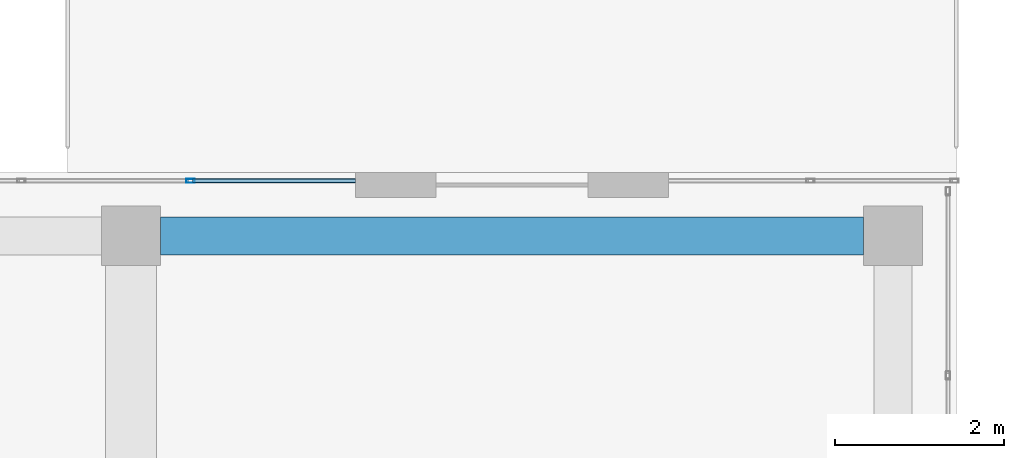
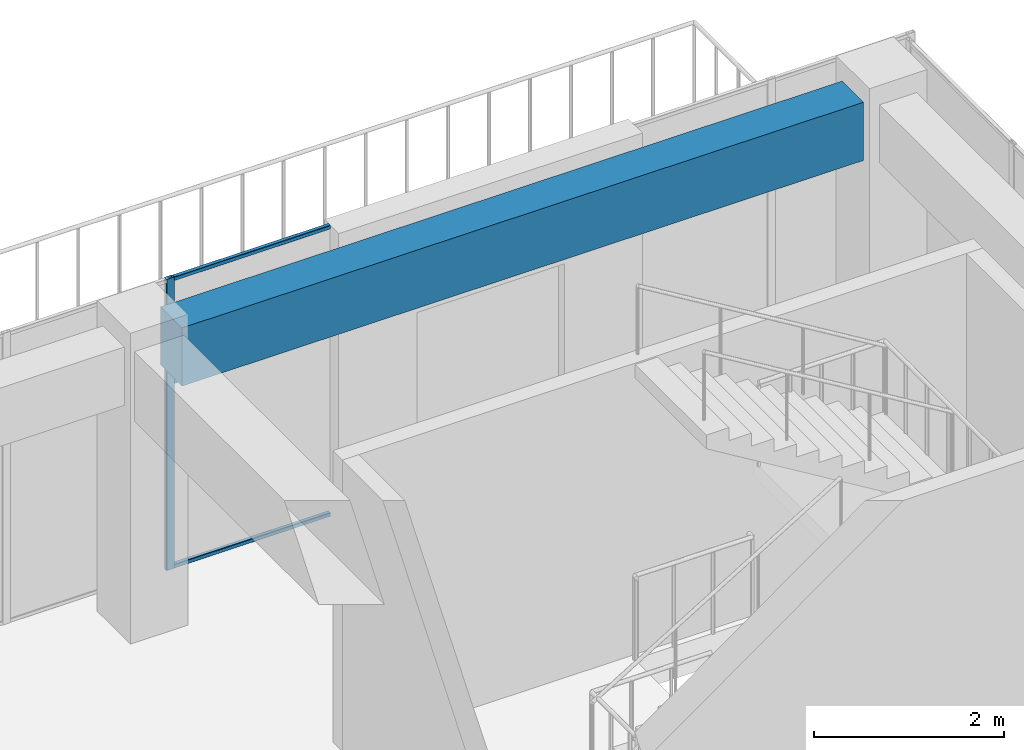
# One storey, part 34 of 49: 4 members, 1 beam, 1 element without a shape of its own.
"""IFC4 building model written with IfcOpenShell, lengths in metres."""

from ifc_helpers import new_model, si_unit, direction, frame, origin, origin_2d, place, context, subcontext, project, spatial, rectangle, hollow_rectangle, extrude, material, layer, layer_set, material_profile, profile_set, type_object, element, aggregate, save


model = new_model("IFC4")

# Units and contexts
model_context = context("Model", 3, precision=1e-05, world=origin(), true_north=direction((0.0, 1.0)))
body_context = subcontext(model_context, "Body", "Model", "MODEL_VIEW")
ifc_project = project(units=[si_unit("LENGTHUNIT", "METRE"), si_unit("AREAUNIT", "SQUARE_METRE"), si_unit("VOLUMEUNIT", "CUBIC_METRE"), si_unit("PLANEANGLEUNIT", "RADIAN"), si_unit("MASSUNIT", "GRAM", prefix="KILO")], contexts=[model_context])

# Site, building, storey
site_placement = place(None, origin())
site = spatial("IfcSite", under=ifc_project, at=site_placement, CompositionType="ELEMENT")
building_placement = place(site_placement, origin())
building = spatial("IfcBuilding", under=site, at=building_placement, Name="Tuart Plaza Theatre", CompositionType="ELEMENT")
storey_placement = place(building_placement, frame((0.0, 0.0, 29.5)))
storey = spatial("IfcBuildingStorey", under=building, at=storey_placement, Name="L07", CompositionType="ELEMENT", Elevation=29.5)

# Beam
ifc_material_1 = material(Name="Concrete N40 (40 MPa)", Category="concrete")
ifc_material_profile_1 = material_profile(ifc_material_1, rectangle(XDim=0.449951171875, YDim=0.75, at=origin_2d()), Name="BEAM 450x750 Concrete N40 (40 MPa)")
ifc_profile_set_1 = profile_set([ifc_material_profile_1], Name="Concrete N40 (40 MPa)")
beam_type = type_object("IfcBeamType", Name="BEAM 450x750 Concrete N40 (40 MPa)", PredefinedType="BEAM", material=ifc_profile_set_1)
beam_placement = place(storey_placement, frame((132.35009765625, 92.0, 3.375), z_axis=(1.0, 0.0, 0.0), x_axis=(0.0, 1.0, 0.0)))
element("IfcBeam", 1, at=beam_placement, inside=storey, type_object=beam_type, Name="RB271", PredefinedType="BEAM", context=body_context, shape_type="SweptSolid", body=[
    extrude(rectangle(XDim=0.449951171875, YDim=0.75, at=origin_2d()), origin(), (0.0, 0.0, 1.0), 8.2998046875),
])

# Curtain wall, members
ifc_material_2 = material(Name="Aluminium and glass", Category="aluminium")
ifc_layer = layer(ifc_material_2, 0.10009765625)
ifc_layer_set = layer_set([ifc_layer], Name="CURTAIN WALL 2000 module")
curtain_wall_type = type_object("IfcCurtainWallType", Name="CURTAIN WALL 2000 module", PredefinedType="NOTDEFINED", material=ifc_layer_set)
curtain_wall_placement = place(storey_placement, origin())
curtain_wall = element("IfcCurtainWall", 2, at=curtain_wall_placement, inside=storey, type_object=curtain_wall_type, Name="CW96", PredefinedType="NOTDEFINED")
ifc_material_3 = material(Name="Aluminium 6063-T5", Category="aluminium")
ifc_material_profile_2 = material_profile(ifc_material_3, hollow_rectangle(XDim=0.050048828125, YDim=0.10009765625, WallThickness=0.00390625, InnerFilletRadius=0.00390625, OuterFilletRadius=0.008056640625, at=origin_2d()), Name="RHS 100x50x4")
ifc_profile_set_2 = profile_set([ifc_material_profile_2], Name="Aluminium 6063-T5")
member_type_1 = type_object("IfcMemberType", Name="MULLION RHS 100x50x4", PredefinedType="MULLION", material=ifc_profile_set_2)
member_1_placement = place(storey_placement, frame((132.703857421875, 92.64990234375, 0.0), z_axis=(0.0, 0.0, 1.0), x_axis=(0.0, -1.0, 0.0)))
member_1 = element("IfcMember", 3, at=member_1_placement, type_object=member_type_1, Name="CW96 mullion 2", PredefinedType="MULLION", context=body_context, shape_type="SweptSolid", body=[
    extrude(hollow_rectangle(XDim=0.050048828125, YDim=0.10009765625, WallThickness=0.00390625, InnerFilletRadius=0.00390625, OuterFilletRadius=0.008056640625, at=origin_2d()), origin(), (0.0, 0.0, 1.0), 3.75),
])
ifc_material_4 = material(Name="Aluminium 6063-T5", Category="aluminium")
ifc_material_profile_3 = material_profile(ifc_material_4, hollow_rectangle(XDim=0.050048828125, YDim=0.050048828125, WallThickness=0.00390625, InnerFilletRadius=0.00390625, OuterFilletRadius=0.008056640625, at=origin_2d()), Name="RHS 50x50x4")
ifc_profile_set_3 = profile_set([ifc_material_profile_3], Name="Aluminium 6063-T5")
member_type_2 = type_object("IfcMemberType", Name="TRANSOM RHS 50x50x4", PredefinedType="USERDEFINED", material=ifc_profile_set_3)
member_2_placement = place(storey_placement, frame((134.64990234375, 92.64990234375, 0.02490234375), z_axis=(-1.0, 0.0, 0.0), x_axis=(0.0, -1.0, 0.0)))
member_2 = element("IfcMember", 4, at=member_2_placement, type_object=member_type_2, Name="CW96 transom 1.1", ObjectType="TRANSOM", PredefinedType="USERDEFINED", context=body_context, shape_type="SweptSolid", body=[
    extrude(hollow_rectangle(XDim=0.050048828125, YDim=0.050048828125, WallThickness=0.00390625, InnerFilletRadius=0.00390625, OuterFilletRadius=0.008056640625, at=origin_2d()), origin(), (0.0, 0.0, 1.0), 1.921142578125),
])
member_3_placement = place(storey_placement, frame((134.64990234375, 92.64990234375, 2.39990234375), z_axis=(-1.0, 0.0, 0.0), x_axis=(0.0, -1.0, 0.0)))
member_3 = element("IfcMember", 5, at=member_3_placement, type_object=member_type_2, Name="CW96 transom 1.2", ObjectType="TRANSOM", PredefinedType="USERDEFINED", context=body_context, shape_type="SweptSolid", body=[
    extrude(hollow_rectangle(XDim=0.050048828125, YDim=0.050048828125, WallThickness=0.00390625, InnerFilletRadius=0.00390625, OuterFilletRadius=0.008056640625, at=origin_2d()), origin(), (0.0, 0.0, 1.0), 1.921142578125),
])
member_4_placement = place(storey_placement, frame((134.64990234375, 92.64990234375, 3.72509765625), z_axis=(-1.0, 0.0, 0.0), x_axis=(0.0, -1.0, 0.0)))
member_4 = element("IfcMember", 6, at=member_4_placement, type_object=member_type_2, Name="CW96 transom 1.3", ObjectType="TRANSOM", PredefinedType="USERDEFINED", context=body_context, shape_type="SweptSolid", body=[
    extrude(hollow_rectangle(XDim=0.050048828125, YDim=0.050048828125, WallThickness=0.00390625, InnerFilletRadius=0.00390625, OuterFilletRadius=0.008056640625, at=origin_2d()), origin(), (0.0, 0.0, 1.0), 1.921142578125),
])
aggregate(curtain_wall, [member_1, member_2, member_3, member_4])

save(model, "model.ifc")
